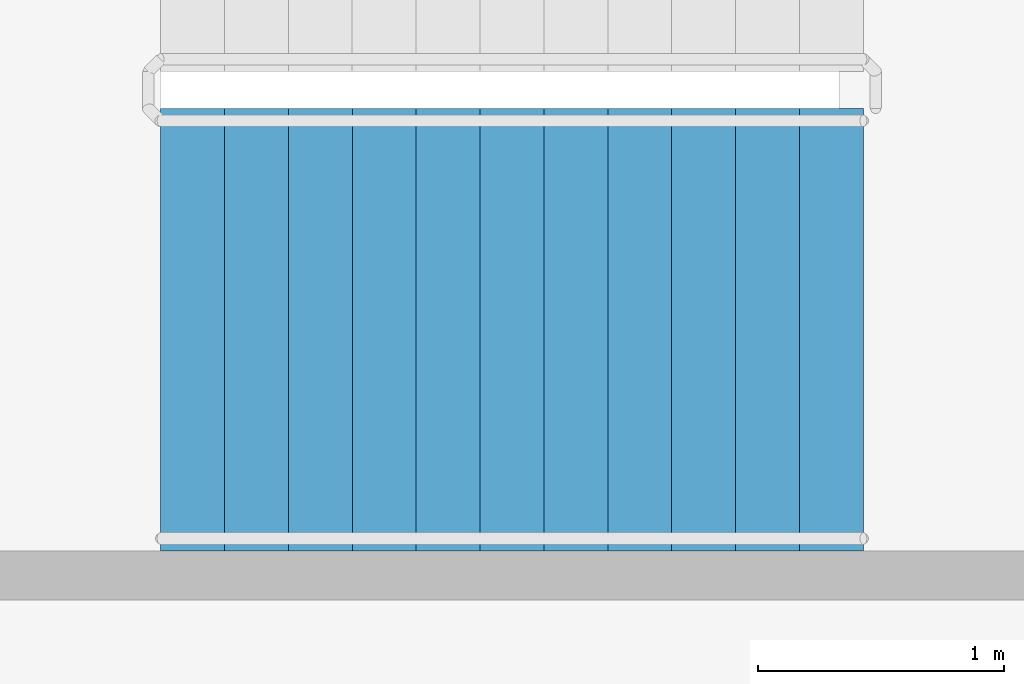
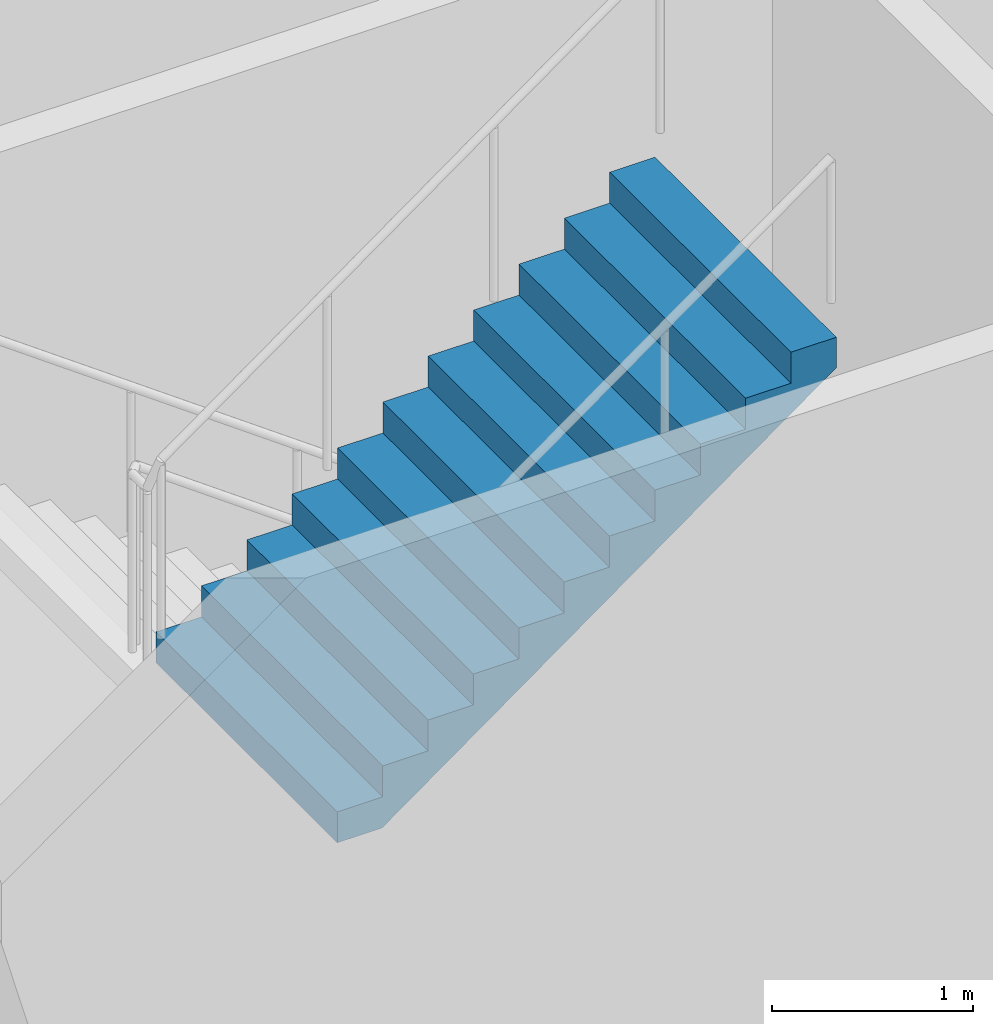
# One storey, part 31 of 49: 1 stair flight, 1 element without a shape of its own.
"""IFC4 building model written with IfcOpenShell, lengths in metres."""

from ifc_helpers import new_model, si_unit, direction, frame, origin, place, context, subcontext, project, spatial, faceted_brep, material, type_object, element, aggregate, save


model = new_model("IFC4")

# Units and contexts
model_context = context("Model", 3, precision=1e-05, world=origin(), true_north=direction((0.0, 1.0)))
body_context = subcontext(model_context, "Body", "Model", "MODEL_VIEW")
ifc_project = project(units=[si_unit("LENGTHUNIT", "METRE"), si_unit("AREAUNIT", "SQUARE_METRE"), si_unit("VOLUMEUNIT", "CUBIC_METRE"), si_unit("PLANEANGLEUNIT", "RADIAN"), si_unit("MASSUNIT", "GRAM", prefix="KILO")], contexts=[model_context])

# Site, building, storey
site_placement = place(None, origin())
site = spatial("IfcSite", under=ifc_project, at=site_placement, CompositionType="ELEMENT")
building_placement = place(site_placement, origin())
building = spatial("IfcBuilding", under=site, at=building_placement, Name="Ipe Terrace Towers", CompositionType="ELEMENT")
storey_placement = place(building_placement, frame((0.0, 0.0, 11.0)))
storey = spatial("IfcBuildingStorey", under=building, at=storey_placement, Name="L02", CompositionType="ELEMENT", Elevation=11.0)

# Stair, stair flight
ifc_material_1 = material(Name="Concrete C30/37", Category="concrete")
stair_type = type_object("IfcStairType", Name="Protected exit stair", PredefinedType="HALF_TURN_STAIR", material=ifc_material_1)
stair_placement = place(storey_placement, origin())
stair = element("IfcStair", 1, at=stair_placement, inside=storey, type_object=stair_type, Name="L02 Podium exit stair PS1", PredefinedType="HALF_TURN_STAIR")
ifc_material_2 = material(Name="Concrete C30/37", Category="concrete")
stair_flight_type = type_object("IfcStairFlightType", Name="Exit stair flight 1800", PredefinedType="STRAIGHT", material=ifc_material_2)
stair_flight_placement = place(storey_placement, frame((-57.1298828125, 23.550048828125, 2.25), z_axis=(0.0, 0.0, 1.0), x_axis=(1.0, 0.0, 0.0)))
stair_flight = element("IfcStairFlight", 2, at=stair_flight_placement, type_object=stair_flight_type, Name="PS1 flight 2", NumberOfRisers=12, NumberOfTreads=11, PredefinedType="STRAIGHT", RiserHeight=0.1875, TreadLength=0.26, context=body_context, shape_type="Brep", body=[
    faceted_brep([(0.25634765625, -0.89990234375, 0.0), (2.860107421875, -0.89990234375, 1.877685546875), (2.860107421875, -0.89990234375, 2.0625), (2.60009765625, -0.89990234375, 2.0625), (2.60009765625, -0.89990234375, 1.875), (2.340087890625, -0.89990234375, 1.875), (2.340087890625, -0.89990234375, 1.6875), (2.080078125, -0.89990234375, 1.6875), (2.080078125, -0.89990234375, 1.5), (1.820068359375, -0.89990234375, 1.5), (1.820068359375, -0.89990234375, 1.3125), (1.56005859375, -0.89990234375, 1.3125), (1.56005859375, -0.89990234375, 1.125), (1.300048828125, -0.89990234375, 1.125), (1.300048828125, -0.89990234375, 0.9375), (1.0400390625, -0.89990234375, 0.9375), (1.0400390625, -0.89990234375, 0.75), (0.780029296875, -0.89990234375, 0.75), (0.780029296875, -0.89990234375, 0.5625), (0.52001953125, -0.89990234375, 0.5625), (0.52001953125, -0.89990234375, 0.375), (0.260009765625, -0.89990234375, 0.375), (0.260009765625, -0.89990234375, 0.1875), (0.0, -0.89990234375, 0.1875), (0.0, -0.89990234375, 0.0), (0.0, 0.89990234375, 0.0), (0.0, 0.89990234375, 0.1875), (0.260009765625, 0.89990234375, 0.1875), (0.260009765625, 0.89990234375, 0.375), (0.52001953125, 0.89990234375, 0.375), (0.52001953125, 0.89990234375, 0.5625), (0.780029296875, 0.89990234375, 0.5625), (0.780029296875, 0.89990234375, 0.75), (1.0400390625, 0.89990234375, 0.75), (1.0400390625, 0.89990234375, 0.9375), (1.300048828125, 0.89990234375, 0.9375), (1.300048828125, 0.89990234375, 1.125), (1.56005859375, 0.89990234375, 1.125), (1.56005859375, 0.89990234375, 1.3125), (1.820068359375, 0.89990234375, 1.3125), (1.820068359375, 0.89990234375, 1.5), (2.080078125, 0.89990234375, 1.5), (2.080078125, 0.89990234375, 1.6875), (2.340087890625, 0.89990234375, 1.6875), (2.340087890625, 0.89990234375, 1.875), (2.60009765625, 0.89990234375, 1.875), (2.60009765625, 0.89990234375, 2.0625), (2.860107421875, 0.89990234375, 2.0625), (2.860107421875, 0.89990234375, 1.877685546875), (0.25634765625, 0.89990234375, 0.0), (0.0, -0.300048828125, 0.1875), (0.0, -0.1201171875, 0.1875), (0.0, -0.06005859375, 0.1875), (0.0, -0.030029296875, 0.1875), (0.0, -0.010009765625, 0.1875), (0.0, 0.0, 0.1875), (0.0, 0.010009765625, 0.1875), (0.0, 0.030029296875, 0.1875), (0.0, 0.06005859375, 0.1875), (0.0, 0.1201171875, 0.1875), (0.0, 0.300048828125, 0.1875), (0.0, 0.300048828125, 0.0), (0.0, 0.1201171875, 0.0), (0.0, 0.06005859375, 0.0), (0.0, 0.030029296875, 0.0), (0.0, 0.010009765625, 0.0), (0.0, 0.0, 0.0), (0.0, -0.010009765625, 0.0), (0.0, -0.030029296875, 0.0), (0.0, -0.06005859375, 0.0), (0.0, -0.1201171875, 0.0), (0.0, -0.300048828125, 0.0), (0.260009765625, -0.300048828125, 0.1875), (0.260009765625, -0.1201171875, 0.1875), (0.260009765625, -0.06005859375, 0.1875), (0.260009765625, -0.030029296875, 0.1875), (0.260009765625, -0.010009765625, 0.1875), (0.260009765625, 0.0, 0.1875), (0.260009765625, 0.010009765625, 0.1875), (0.260009765625, 0.030029296875, 0.1875), (0.260009765625, 0.06005859375, 0.1875), (0.260009765625, 0.1201171875, 0.1875), (0.260009765625, 0.300048828125, 0.1875), (0.260009765625, -0.300048828125, 0.375), (0.260009765625, -0.1201171875, 0.375), (0.260009765625, -0.06005859375, 0.375), (0.260009765625, -0.030029296875, 0.375), (0.260009765625, -0.010009765625, 0.375), (0.260009765625, 0.0, 0.375), (0.260009765625, 0.010009765625, 0.375), (0.260009765625, 0.030029296875, 0.375), (0.260009765625, 0.06005859375, 0.375), (0.260009765625, 0.1201171875, 0.375), (0.260009765625, 0.300048828125, 0.375), (0.52001953125, -0.300048828125, 0.375), (0.52001953125, -0.1201171875, 0.375), (0.52001953125, -0.06005859375, 0.375), (0.52001953125, -0.030029296875, 0.375), (0.52001953125, -0.010009765625, 0.375), (0.52001953125, 0.0, 0.375), (0.52001953125, 0.010009765625, 0.375), (0.52001953125, 0.030029296875, 0.375), (0.52001953125, 0.06005859375, 0.375), (0.52001953125, 0.1201171875, 0.375), (0.52001953125, 0.300048828125, 0.375), (0.52001953125, -0.300048828125, 0.5625), (0.52001953125, -0.1201171875, 0.5625), (0.52001953125, -0.06005859375, 0.5625), (0.52001953125, -0.030029296875, 0.5625), (0.52001953125, -0.010009765625, 0.5625), (0.52001953125, 0.0, 0.5625), (0.52001953125, 0.010009765625, 0.5625), (0.52001953125, 0.030029296875, 0.5625), (0.52001953125, 0.06005859375, 0.5625), (0.52001953125, 0.1201171875, 0.5625), (0.52001953125, 0.300048828125, 0.5625), (0.780029296875, -0.300048828125, 0.5625), (0.780029296875, -0.1201171875, 0.5625), (0.780029296875, -0.06005859375, 0.5625), (0.780029296875, -0.030029296875, 0.5625), (0.780029296875, -0.010009765625, 0.5625), (0.780029296875, 0.0, 0.5625), (0.780029296875, 0.010009765625, 0.5625), (0.780029296875, 0.030029296875, 0.5625), (0.780029296875, 0.06005859375, 0.5625), (0.780029296875, 0.1201171875, 0.5625), (0.780029296875, 0.300048828125, 0.5625), (0.780029296875, -0.300048828125, 0.75), (0.780029296875, -0.1201171875, 0.75), (0.780029296875, -0.06005859375, 0.75), (0.780029296875, -0.030029296875, 0.75), (0.780029296875, -0.010009765625, 0.75), (0.780029296875, 0.0, 0.75), (0.780029296875, 0.010009765625, 0.75), (0.780029296875, 0.030029296875, 0.75), (0.780029296875, 0.06005859375, 0.75), (0.780029296875, 0.1201171875, 0.75), (0.780029296875, 0.300048828125, 0.75), (1.0400390625, -0.300048828125, 0.75), (1.0400390625, -0.1201171875, 0.75), (1.0400390625, -0.06005859375, 0.75), (1.0400390625, -0.030029296875, 0.75), (1.0400390625, -0.010009765625, 0.75), (1.0400390625, 0.0, 0.75), (1.0400390625, 0.010009765625, 0.75), (1.0400390625, 0.030029296875, 0.75), (1.0400390625, 0.06005859375, 0.75), (1.0400390625, 0.1201171875, 0.75), (1.0400390625, 0.300048828125, 0.75), (1.0400390625, -0.300048828125, 0.9375), (1.0400390625, -0.1201171875, 0.9375), (1.0400390625, -0.06005859375, 0.9375), (1.0400390625, -0.030029296875, 0.9375), (1.0400390625, -0.010009765625, 0.9375), (1.0400390625, 0.0, 0.9375), (1.0400390625, 0.010009765625, 0.9375), (1.0400390625, 0.030029296875, 0.9375), (1.0400390625, 0.06005859375, 0.9375), (1.0400390625, 0.1201171875, 0.9375), (1.0400390625, 0.300048828125, 0.9375), (1.300048828125, -0.300048828125, 0.9375), (1.300048828125, -0.1201171875, 0.9375), (1.300048828125, -0.06005859375, 0.9375), (1.300048828125, -0.030029296875, 0.9375), (1.300048828125, -0.010009765625, 0.9375), (1.300048828125, 0.0, 0.9375), (1.300048828125, 0.010009765625, 0.9375), (1.300048828125, 0.030029296875, 0.9375), (1.300048828125, 0.06005859375, 0.9375), (1.300048828125, 0.1201171875, 0.9375), (1.300048828125, 0.300048828125, 0.9375), (1.300048828125, -0.300048828125, 1.125), (1.300048828125, -0.1201171875, 1.125), (1.300048828125, -0.06005859375, 1.125), (1.300048828125, -0.030029296875, 1.125), (1.300048828125, -0.010009765625, 1.125), (1.300048828125, 0.0, 1.125), (1.300048828125, 0.010009765625, 1.125), (1.300048828125, 0.030029296875, 1.125), (1.300048828125, 0.06005859375, 1.125), (1.300048828125, 0.1201171875, 1.125), (1.300048828125, 0.300048828125, 1.125), (1.56005859375, -0.300048828125, 1.125), (1.56005859375, -0.1201171875, 1.125), (1.56005859375, -0.06005859375, 1.125), (1.56005859375, -0.030029296875, 1.125), (1.56005859375, -0.010009765625, 1.125), (1.56005859375, 0.0, 1.125), (1.56005859375, 0.010009765625, 1.125), (1.56005859375, 0.030029296875, 1.125), (1.56005859375, 0.06005859375, 1.125), (1.56005859375, 0.1201171875, 1.125), (1.56005859375, 0.300048828125, 1.125), (1.56005859375, -0.300048828125, 1.3125), (1.56005859375, -0.1201171875, 1.3125), (1.56005859375, -0.06005859375, 1.3125), (1.56005859375, -0.030029296875, 1.3125), (1.56005859375, -0.010009765625, 1.3125), (1.56005859375, 0.0, 1.3125), (1.56005859375, 0.010009765625, 1.3125), (1.56005859375, 0.030029296875, 1.3125), (1.56005859375, 0.06005859375, 1.3125), (1.56005859375, 0.1201171875, 1.3125), (1.56005859375, 0.300048828125, 1.3125), (1.820068359375, -0.300048828125, 1.3125), (1.820068359375, -0.1201171875, 1.3125), (1.820068359375, -0.06005859375, 1.3125), (1.820068359375, -0.030029296875, 1.3125), (1.820068359375, -0.010009765625, 1.3125), (1.820068359375, 0.0, 1.3125), (1.820068359375, 0.010009765625, 1.3125), (1.820068359375, 0.030029296875, 1.3125), (1.820068359375, 0.06005859375, 1.3125), (1.820068359375, 0.1201171875, 1.3125), (1.820068359375, 0.300048828125, 1.3125), (1.820068359375, -0.300048828125, 1.5), (1.820068359375, -0.1201171875, 1.5), (1.820068359375, -0.06005859375, 1.5), (1.820068359375, -0.030029296875, 1.5), (1.820068359375, -0.010009765625, 1.5), (1.820068359375, 0.0, 1.5), (1.820068359375, 0.010009765625, 1.5), (1.820068359375, 0.030029296875, 1.5), (1.820068359375, 0.06005859375, 1.5), (1.820068359375, 0.1201171875, 1.5), (1.820068359375, 0.300048828125, 1.5), (2.080078125, -0.300048828125, 1.5), (2.080078125, -0.1201171875, 1.5), (2.080078125, -0.06005859375, 1.5), (2.080078125, -0.030029296875, 1.5), (2.080078125, -0.010009765625, 1.5), (2.080078125, 0.0, 1.5), (2.080078125, 0.010009765625, 1.5), (2.080078125, 0.030029296875, 1.5), (2.080078125, 0.06005859375, 1.5), (2.080078125, 0.1201171875, 1.5), (2.080078125, 0.300048828125, 1.5), (2.080078125, -0.300048828125, 1.6875), (2.080078125, -0.1201171875, 1.6875), (2.080078125, -0.06005859375, 1.6875), (2.080078125, -0.030029296875, 1.6875), (2.080078125, -0.010009765625, 1.6875), (2.080078125, 0.0, 1.6875), (2.080078125, 0.010009765625, 1.6875), (2.080078125, 0.030029296875, 1.6875), (2.080078125, 0.06005859375, 1.6875), (2.080078125, 0.1201171875, 1.6875), (2.080078125, 0.300048828125, 1.6875), (2.340087890625, -0.300048828125, 1.6875), (2.340087890625, -0.1201171875, 1.6875), (2.340087890625, -0.06005859375, 1.6875), (2.340087890625, -0.030029296875, 1.6875), (2.340087890625, -0.010009765625, 1.6875), (2.340087890625, 0.0, 1.6875), (2.340087890625, 0.010009765625, 1.6875), (2.340087890625, 0.030029296875, 1.6875), (2.340087890625, 0.06005859375, 1.6875), (2.340087890625, 0.1201171875, 1.6875), (2.340087890625, 0.300048828125, 1.6875), (2.340087890625, -0.300048828125, 1.875), (2.340087890625, -0.1201171875, 1.875), (2.340087890625, -0.06005859375, 1.875), (2.340087890625, -0.030029296875, 1.875), (2.340087890625, -0.010009765625, 1.875), (2.340087890625, 0.0, 1.875), (2.340087890625, 0.010009765625, 1.875), (2.340087890625, 0.030029296875, 1.875), (2.340087890625, 0.06005859375, 1.875), (2.340087890625, 0.1201171875, 1.875), (2.340087890625, 0.300048828125, 1.875), (2.60009765625, -0.300048828125, 1.875), (2.60009765625, -0.1201171875, 1.875), (2.60009765625, -0.06005859375, 1.875), (2.60009765625, -0.030029296875, 1.875), (2.60009765625, -0.010009765625, 1.875), (2.60009765625, 0.0, 1.875), (2.60009765625, 0.010009765625, 1.875), (2.60009765625, 0.030029296875, 1.875), (2.60009765625, 0.06005859375, 1.875), (2.60009765625, 0.1201171875, 1.875), (2.60009765625, 0.300048828125, 1.875), (2.60009765625, -0.300048828125, 2.0625), (2.60009765625, -0.1201171875, 2.0625), (2.60009765625, -0.06005859375, 2.0625), (2.60009765625, -0.030029296875, 2.0625), (2.60009765625, -0.010009765625, 2.0625), (2.60009765625, 0.0, 2.0625), (2.60009765625, 0.010009765625, 2.0625), (2.60009765625, 0.030029296875, 2.0625), (2.60009765625, 0.06005859375, 2.0625), (2.60009765625, 0.1201171875, 2.0625), (2.60009765625, 0.300048828125, 2.0625), (2.860107421875, -0.300048828125, 2.0625), (2.860107421875, -0.1201171875, 2.0625), (2.860107421875, -0.06005859375, 2.0625), (2.860107421875, -0.030029296875, 2.0625), (2.860107421875, -0.010009765625, 2.0625), (2.860107421875, 0.0, 2.0625), (2.860107421875, 0.010009765625, 2.0625), (2.860107421875, 0.030029296875, 2.0625), (2.860107421875, 0.06005859375, 2.0625), (2.860107421875, 0.1201171875, 2.0625), (2.860107421875, 0.300048828125, 2.0625), (2.860107421875, -0.300048828125, 1.877685546875), (2.860107421875, -0.1201171875, 1.877685546875), (2.860107421875, -0.06005859375, 1.877685546875), (2.860107421875, -0.030029296875, 1.877685546875), (2.860107421875, -0.010009765625, 1.877685546875), (2.860107421875, 0.0, 1.877685546875), (2.860107421875, 0.010009765625, 1.877685546875), (2.860107421875, 0.030029296875, 1.877685546875), (2.860107421875, 0.06005859375, 1.877685546875), (2.860107421875, 0.1201171875, 1.877685546875), (2.860107421875, 0.300048828125, 1.877685546875), (0.25634765625, -0.300048828125, 0.0), (0.25634765625, -0.1201171875, 0.0), (0.25634765625, -0.06005859375, 0.0), (0.25634765625, -0.030029296875, 0.0), (0.25634765625, -0.010009765625, 0.0), (0.25634765625, 0.0, 0.0), (0.25634765625, 0.010009765625, 0.0), (0.25634765625, 0.030029296875, 0.0), (0.25634765625, 0.06005859375, 0.0), (0.25634765625, 0.1201171875, 0.0), (0.25634765625, 0.300048828125, 0.0)], [[[0, 1, 2, 3, 4, 5, 6, 7, 8, 9, 10, 11, 12, 13, 14, 15, 16, 17, 18, 19, 20, 21, 22, 23, 24]], [[25, 26, 27, 28, 29, 30, 31, 32, 33, 34, 35, 36, 37, 38, 39, 40, 41, 42, 43, 44, 45, 46, 47, 48, 49]], [[23, 50, 51, 52, 53, 54, 55, 56, 57, 58, 59, 60, 26, 25, 61, 62, 63, 64, 65, 66, 67, 68, 69, 70, 71, 24]], [[22, 72, 73, 74, 75, 76, 77, 78, 79, 80, 81, 82, 27, 26, 60, 59, 58, 57, 56, 55, 54, 53, 52, 51, 50, 23]], [[21, 83, 84, 85, 86, 87, 88, 89, 90, 91, 92, 93, 28, 27, 82, 81, 80, 79, 78, 77, 76, 75, 74, 73, 72, 22]], [[20, 94, 95, 96, 97, 98, 99, 100, 101, 102, 103, 104, 29, 28, 93, 92, 91, 90, 89, 88, 87, 86, 85, 84, 83, 21]], [[19, 105, 106, 107, 108, 109, 110, 111, 112, 113, 114, 115, 30, 29, 104, 103, 102, 101, 100, 99, 98, 97, 96, 95, 94, 20]], [[18, 116, 117, 118, 119, 120, 121, 122, 123, 124, 125, 126, 31, 30, 115, 114, 113, 112, 111, 110, 109, 108, 107, 106, 105, 19]], [[17, 127, 128, 129, 130, 131, 132, 133, 134, 135, 136, 137, 32, 31, 126, 125, 124, 123, 122, 121, 120, 119, 118, 117, 116, 18]], [[16, 138, 139, 140, 141, 142, 143, 144, 145, 146, 147, 148, 33, 32, 137, 136, 135, 134, 133, 132, 131, 130, 129, 128, 127, 17]], [[15, 149, 150, 151, 152, 153, 154, 155, 156, 157, 158, 159, 34, 33, 148, 147, 146, 145, 144, 143, 142, 141, 140, 139, 138, 16]], [[14, 160, 161, 162, 163, 164, 165, 166, 167, 168, 169, 170, 35, 34, 159, 158, 157, 156, 155, 154, 153, 152, 151, 150, 149, 15]], [[13, 171, 172, 173, 174, 175, 176, 177, 178, 179, 180, 181, 36, 35, 170, 169, 168, 167, 166, 165, 164, 163, 162, 161, 160, 14]], [[12, 182, 183, 184, 185, 186, 187, 188, 189, 190, 191, 192, 37, 36, 181, 180, 179, 178, 177, 176, 175, 174, 173, 172, 171, 13]], [[11, 193, 194, 195, 196, 197, 198, 199, 200, 201, 202, 203, 38, 37, 192, 191, 190, 189, 188, 187, 186, 185, 184, 183, 182, 12]], [[10, 204, 205, 206, 207, 208, 209, 210, 211, 212, 213, 214, 39, 38, 203, 202, 201, 200, 199, 198, 197, 196, 195, 194, 193, 11]], [[9, 215, 216, 217, 218, 219, 220, 221, 222, 223, 224, 225, 40, 39, 214, 213, 212, 211, 210, 209, 208, 207, 206, 205, 204, 10]], [[8, 226, 227, 228, 229, 230, 231, 232, 233, 234, 235, 236, 41, 40, 225, 224, 223, 222, 221, 220, 219, 218, 217, 216, 215, 9]], [[7, 237, 238, 239, 240, 241, 242, 243, 244, 245, 246, 247, 42, 41, 236, 235, 234, 233, 232, 231, 230, 229, 228, 227, 226, 8]], [[6, 248, 249, 250, 251, 252, 253, 254, 255, 256, 257, 258, 43, 42, 247, 246, 245, 244, 243, 242, 241, 240, 239, 238, 237, 7]], [[5, 259, 260, 261, 262, 263, 264, 265, 266, 267, 268, 269, 44, 43, 258, 257, 256, 255, 254, 253, 252, 251, 250, 249, 248, 6]], [[4, 270, 271, 272, 273, 274, 275, 276, 277, 278, 279, 280, 45, 44, 269, 268, 267, 266, 265, 264, 263, 262, 261, 260, 259, 5]], [[3, 281, 282, 283, 284, 285, 286, 287, 288, 289, 290, 291, 46, 45, 280, 279, 278, 277, 276, 275, 274, 273, 272, 271, 270, 4]], [[2, 292, 293, 294, 295, 296, 297, 298, 299, 300, 301, 302, 47, 46, 291, 290, 289, 288, 287, 286, 285, 284, 283, 282, 281, 3]], [[1, 303, 304, 305, 306, 307, 308, 309, 310, 311, 312, 313, 48, 47, 302, 301, 300, 299, 298, 297, 296, 295, 294, 293, 292, 2]], [[0, 314, 315, 316, 317, 318, 319, 320, 321, 322, 323, 324, 49, 48, 313, 312, 311, 310, 309, 308, 307, 306, 305, 304, 303, 1]], [[24, 71, 70, 69, 68, 67, 66, 65, 64, 63, 62, 61, 25, 49, 324, 323, 322, 321, 320, 319, 318, 317, 316, 315, 314, 0]]]),
])
aggregate(stair, [stair_flight])

save(model, "model.ifc")
